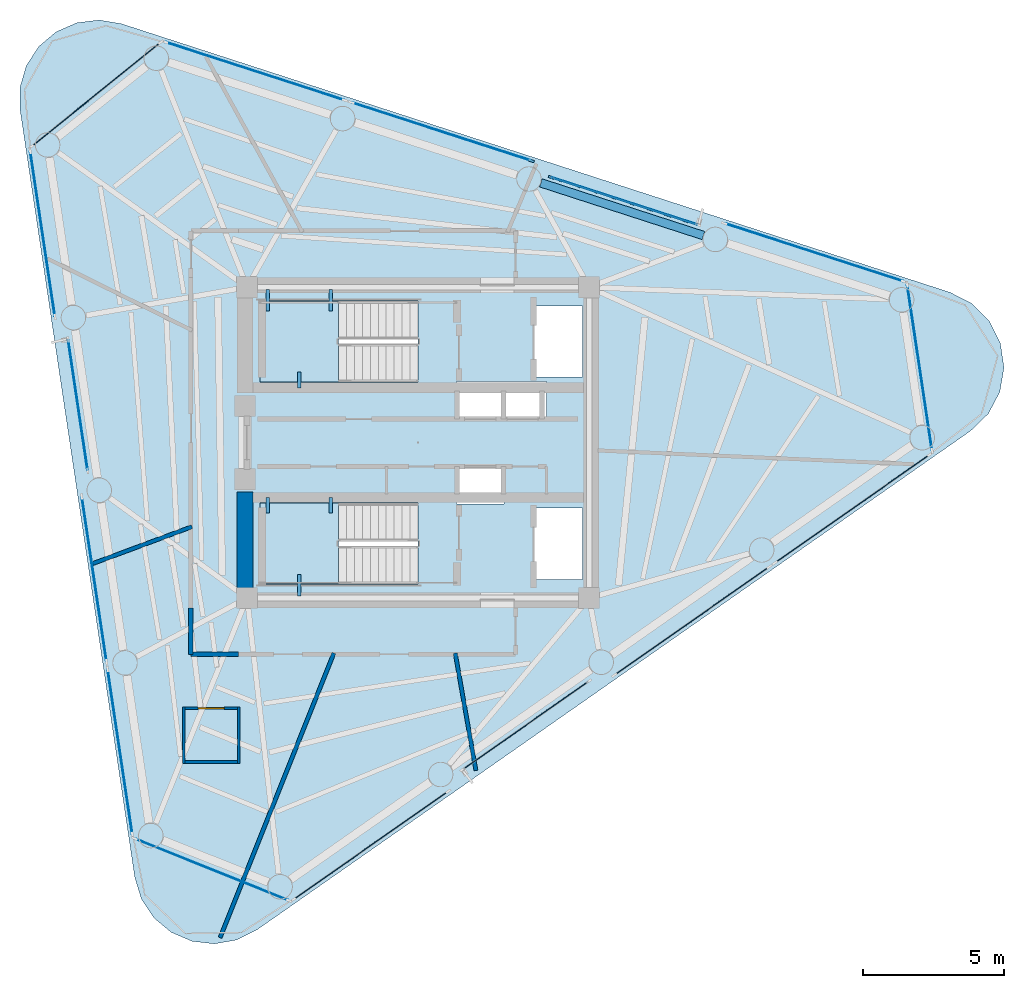
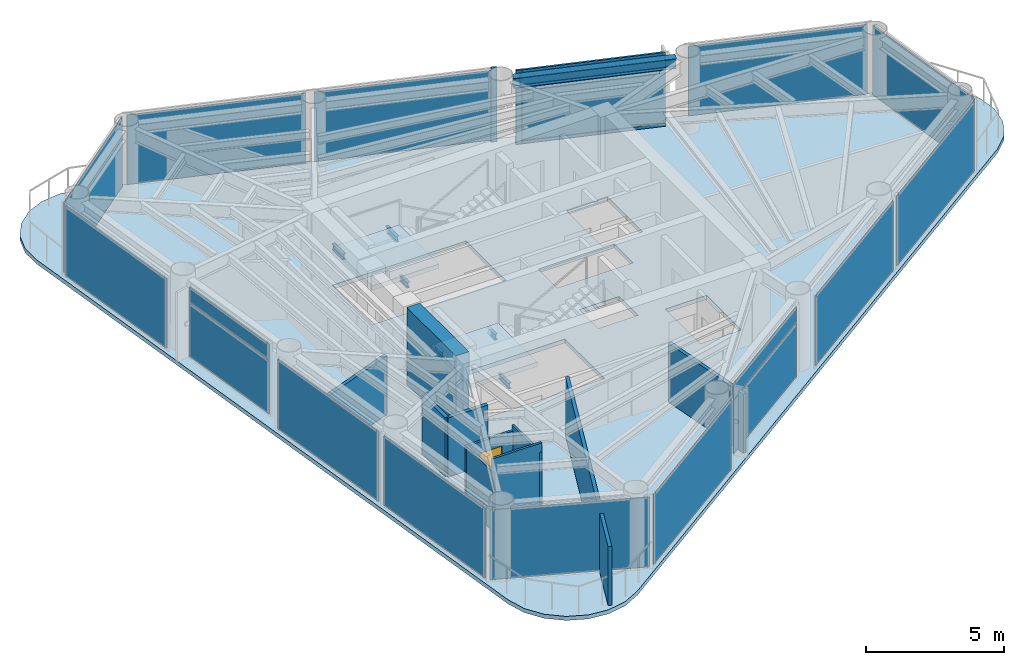
# One storey, part 4 of 9: 18 plates, 10 walls, 7 beams, 5 members, 3 slabs, 1 door, 1 opening, 17 elements without a shape of their own.
"""IFC4 building model written with IfcOpenShell, lengths in metres."""

from ifc_helpers import new_model, si_unit, direction, frame, frame_2d, origin, origin_2d, place, context, subcontext, project, spatial, polyline, rectangle, i_section, outline, extrude, source, transform, mapped, material, layer, layer_set, material_profile, profile_set, type_object, element, fill, aggregate, save


model = new_model("IFC4")

# Units and contexts
model_context = context("Model", 3, precision=1e-05, world=origin(), true_north=direction((0.0, 1.0)))
body_context = subcontext(model_context, "Body", "Model", "MODEL_VIEW")
ifc_project = project(units=[si_unit("LENGTHUNIT", "METRE"), si_unit("AREAUNIT", "SQUARE_METRE"), si_unit("VOLUMEUNIT", "CUBIC_METRE"), si_unit("PLANEANGLEUNIT", "RADIAN"), si_unit("MASSUNIT", "GRAM", prefix="KILO")], contexts=[model_context])

# Site, building, storey
site_placement = place(None, origin())
site = spatial("IfcSite", under=ifc_project, at=site_placement, CompositionType="ELEMENT")
building_placement = place(site_placement, origin())
building = spatial("IfcBuilding", under=site, at=building_placement, Name="Yunling Apex Tower", CompositionType="ELEMENT")
storey_placement = place(building_placement, frame((0.0, 0.0, 274.550048828125)))
storey = spatial("IfcBuildingStorey", under=building, at=storey_placement, Name="L67", CompositionType="ELEMENT", Elevation=274.550048828125)

# Beams
ifc_material_1 = material(Name="Steel Q355B", Category="steel")
ifc_material_profile_1 = material_profile(ifc_material_1, i_section(OverallWidth=0.125, OverallDepth=0.25, WebThickness=0.006103515625, FlangeThickness=0.009033203125, FilletRadius=0.011962890625, at=origin_2d()))
ifc_profile_set_1 = profile_set([ifc_material_profile_1], Name="Steel Q355B")
beam_type_1 = type_object("IfcBeamType", Name="BL-LNT-1", PredefinedType="LINTEL", material=ifc_profile_set_1)
shared_shape_1 = source(origin(), body_context, "Body", "SweptSolid", [
    extrude(i_section(OverallWidth=0.125, OverallDepth=0.25, WebThickness=0.006103515625, FlangeThickness=0.009033203125, FilletRadius=0.011962890625, at=origin_2d()), origin(), (0.0, 0.0, 1.0), 0.760009765625),
])
for number, where, z_axis, x_axis, name in (
    (1, (-5.320068359375, 5.419921875, 1.3798828125), (0.0, -1.0, 0.0), (1.0, 0.0, 0.0), "L67 ST-1 Landing Bearing Corbel 1-1"),
    (2, (-3.090087890625, 5.419921875, 1.3798828125), (0.0, -1.0, 0.0), (1.0, 0.0, 0.0), "L67 ST-1 Landing Bearing Corbel 1-2"),
    (3, (-4.205078125, -5.419921875, 1.3798828125), (0.0, 1.0, 0.0), (-1.0, 0.0, 0.0), "L67 ST-2 Landing Bearing Corbel 1-3"),
):
    element("IfcBeam", number, at=place(storey_placement, frame(where, z_axis=z_axis, x_axis=x_axis)), inside=storey, type_object=beam_type_1, Name=name, PredefinedType="LINTEL", context=body_context, shape_type="MappedRepresentation", body=[
        mapped(shared_shape_1, transform((0.0, 0.0, 0.0), scale=1.0)),
    ])
shared_shape_2 = source(origin(), body_context, "Body", "SweptSolid", [
    extrude(i_section(OverallWidth=0.125, OverallDepth=0.25, WebThickness=0.006103515625, FlangeThickness=0.009033203125, FilletRadius=0.011962890625, at=origin_2d()), origin(), (0.0, 0.0, 1.0), 0.550048828125),
])
for number, where, z_axis, x_axis, name in (
    (4, (-4.205078125, 1.93994140625, 1.3798828125), (0.0, 1.0, 0.0), (-1.0, 0.0, 0.0), "L67 ST-1 Landing Bearing Corbel 1-3"),
    (5, (-5.320068359375, -1.93994140625, 1.3798828125), (0.0, -1.0, 0.0), (1.0, 0.0, 0.0), "L67 ST-2 Landing Bearing Corbel 1-1"),
    (6, (-3.090087890625, -1.93994140625, 1.3798828125), (0.0, -1.0, 0.0), (1.0, 0.0, 0.0), "L67 ST-2 Landing Bearing Corbel 1-2"),
):
    element("IfcBeam", number, at=place(storey_placement, frame(where, z_axis=z_axis, x_axis=x_axis)), inside=storey, type_object=beam_type_1, Name=name, PredefinedType="LINTEL", context=body_context, shape_type="MappedRepresentation", body=[
        mapped(shared_shape_2, transform((0.0, 0.0, 0.0), scale=1.0)),
    ])
ifc_material_profile_2 = material_profile(ifc_material_1, i_section(OverallWidth=0.300048828125, OverallDepth=0.43994140625, WebThickness=0.010986328125, FlangeThickness=0.01806640625, FilletRadius=0.02197265625, at=origin_2d()))
ifc_profile_set_2 = profile_set([ifc_material_profile_2], Name="Steel Q355B")
beam_type_2 = type_object("IfcBeamType", Name="BP-SPN-3", PredefinedType="SPANDREL", material=ifc_profile_set_2)
shared_shape_3 = source(origin(), body_context, "Body", "SweptSolid", [
    extrude(i_section(OverallWidth=0.300048828125, OverallDepth=0.43994140625, WebThickness=0.010986328125, FlangeThickness=0.01806640625, FilletRadius=0.02197265625, at=origin_2d()), origin(), (0.0, 0.0, 1.0), 6.04345703125),
])
beam_placement = place(storey_placement, frame((10.09375, 7.326904296875, 3.0), z_axis=(-0.951272468705, 0.308351569289, 0.0), x_axis=(-0.308351569289, -0.951272468705, 0.0)))
element("IfcBeam", 7, at=beam_placement, inside=storey, type_object=beam_type_2, Name="L67 Perimeter Spandrel Beam 7", PredefinedType="SPANDREL", context=body_context, shape_type="MappedRepresentation", body=[
    mapped(shared_shape_3, transform((0.0, 0.0, 0.0), scale=1.0)),
])

# Curtain wall, member
ifc_material_2 = material(Name="Bronze anodised aluminium", Category="aluminium")
ifc_layer_1 = layer(ifc_material_2, 0.219970703125)
ifc_layer_set_1 = layer_set([ifc_layer_1], Name="Bronze anodised aluminium")
curtain_wall_type = type_object("IfcCurtainWallType", Name="CW-SYS-4", PredefinedType="NOTDEFINED", material=ifc_layer_set_1)
curtain_wall_1_placement = place(storey_placement, origin())
curtain_wall_1 = element("IfcCurtainWall", 8, at=curtain_wall_1_placement, inside=storey, type_object=curtain_wall_type, Name="CW-L67-F2-B2", PredefinedType="NOTDEFINED")
ifc_material_profile_3 = material_profile(ifc_material_2, rectangle(XDim=0.080078125, YDim=0.219970703125, at=origin_2d()))
ifc_profile_set_3 = profile_set([ifc_material_profile_3], Name="Bronze anodised aluminium")
member_type_1 = type_object("IfcMemberType", Name="CW-MUL-4", PredefinedType="MULLION", material=ifc_profile_set_3)
shared_shape_4 = source(origin(), body_context, "Body", "SweptSolid", [
    extrude(rectangle(XDim=0.080078125, YDim=0.219970703125, at=origin_2d()), origin(), (0.0, 0.0, 1.0), 3.320068359375),
])
member_1_placement = place(storey_placement, frame((4.71875, 9.384521484375, -0.050048828125), z_axis=(0.0, 0.0, 1.0), x_axis=(-0.30836941685, -0.951266683297, 0.0)))
member_1 = element("IfcMember", 9, at=member_1_placement, type_object=member_type_1, Name="CW-SYS-4 mullion 2", PredefinedType="MULLION", context=body_context, shape_type="MappedRepresentation", body=[
    mapped(shared_shape_4, transform((0.0, 0.0, 0.0), scale=1.0)),
])

curtain_wall_2_placement = place(storey_placement, origin())
curtain_wall_2 = element("IfcCurtainWall", 10, at=curtain_wall_2_placement, inside=storey, type_object=curtain_wall_type, Name="CW-L67-F2-B3", PredefinedType="NOTDEFINED")
member_2_placement = place(storey_placement, frame((4.00537109375, 9.97314453125, -0.050048828125), z_axis=(0.0, 0.0, 1.0), x_axis=(-0.308371076658, -0.95126614524, 0.0)))
member_2 = element("IfcMember", 11, at=member_2_placement, type_object=member_type_1, Name="CW-SYS-4 mullion 1", PredefinedType="MULLION", context=body_context, shape_type="MappedRepresentation", body=[
    mapped(shared_shape_4, transform((0.0, 0.0, 0.0), scale=1.0)),
])

# Member
ifc_material_profile_4 = material_profile(ifc_material_2, rectangle(XDim=0.080078125, YDim=0.169921875, at=origin_2d()))
ifc_profile_set_4 = profile_set([ifc_material_profile_4], Name="Bronze anodised aluminium")
member_type_2 = type_object("IfcMemberType", Name="CW-TRN-4", PredefinedType="USERDEFINED", material=ifc_profile_set_4)
shared_shape_5 = source(origin(), body_context, "Body", "SweptSolid", [
    extrude(rectangle(XDim=0.080078125, YDim=0.169921875, at=origin_2d()), origin(), (0.0, 0.0, 1.0), 5.3798828125),
])
member_3_placement = place(storey_placement, frame((9.87060546875, 7.71435546875, 0.0400390625), z_axis=(-0.951269238612, 0.308361534032, 0.0), x_axis=(-0.308361534032, -0.951269238612, 0.0)))
member_3 = element("IfcMember", 12, at=member_3_placement, type_object=member_type_2, Name="CW-SYS-4 transom 1.1", ObjectType="TRANSOM", PredefinedType="USERDEFINED", context=body_context, shape_type="MappedRepresentation", body=[
    mapped(shared_shape_5, transform((0.0, 0.0, 0.0), scale=1.0)),
])

member_4_placement = place(storey_placement, frame((9.87060546875, 7.71435546875, 2.447265625), z_axis=(-0.951269238612, 0.308361534032, 0.0), x_axis=(-0.308361534032, -0.951269238612, 0.0)))
member_4 = element("IfcMember", 13, at=member_4_placement, type_object=member_type_2, Name="CW-SYS-4 transom 1.2", ObjectType="TRANSOM", PredefinedType="USERDEFINED", context=body_context, shape_type="MappedRepresentation", body=[
    mapped(shared_shape_5, transform((0.0, 0.0, 0.0), scale=1.0)),
])

member_5_placement = place(storey_placement, frame((9.87060546875, 7.71435546875, 3.179931640625), z_axis=(-0.951269238612, 0.308361534032, 0.0), x_axis=(-0.308361534032, -0.951269238612, 0.0)))
member_5 = element("IfcMember", 14, at=member_5_placement, type_object=member_type_2, Name="CW-SYS-4 transom 1.3", ObjectType="TRANSOM", PredefinedType="USERDEFINED", context=body_context, shape_type="MappedRepresentation", body=[
    mapped(shared_shape_5, transform((0.0, 0.0, 0.0), scale=1.0)),
])

# Slab
ifc_material_3 = material(Name="Concrete C40", Category="concrete")
ifc_layer_2 = layer(ifc_material_3, 0.155029296875)
ifc_layer_set_2 = layer_set([ifc_layer_2], Name="Concrete C40")
slab_type_1 = type_object("IfcSlabType", Name="SL-FLR-3", PredefinedType="FLOOR", material=ifc_layer_set_2)
slab_1_placement = place(storey_placement, frame((0.0, 0.0, -0.179931640625)))
element("IfcSlab", 15, at=slab_1_placement, inside=storey, type_object=slab_type_1, Name="L67 Composite Tower Floor Slab", PredefinedType="FLOOR", context=body_context, shape_type="SweptSolid", body=[
    extrude(outline(polyline([(-10.026123046875, -15.378173828125), (-9.794189453125, -16.145263671875), (-9.352294921875, -16.81396484375), (-8.737548828125, -17.328125), (-8.001220703125, -17.64501953125), (-7.205078125, -17.7373046875), (-6.415771484375, -17.59814453125), (-5.69921875, -17.23876953125), (19.549072265625, 0.414306640625), (20.177490234375, 1.021728515625), (20.585205078125, 1.794921875), (20.731689453125, 2.656494140625), (20.6025390625, 3.52099609375), (20.21044921875, 4.302001953125), (19.594482421875, 4.922119140625), (18.81591796875, 5.3193359375), (-10.490478515625, 14.819091796875), (-11.280517578125, 14.95361328125), (-12.076171875, 14.855712890625), (-12.810302734375, 14.534423828125), (-13.422119140625, 14.016357421875), (-13.859619140625, 13.344970703125), (-14.086669921875, 12.576416015625), (-14.083984375, 11.77490234375), (-10.026123046875, -15.378173828125)]), holes=[polyline([(4.090087890625, 4.840087890625), (5.81005859375, 4.840087890625), (5.81005859375, 2.320068359375), (4.090087890625, 2.320068359375), (4.090087890625, 4.840087890625)]), polyline([(4.090087890625, -4.840087890625), (4.090087890625, -2.320068359375), (5.81005859375, -2.320068359375), (5.81005859375, -4.840087890625), (4.090087890625, -4.840087890625)]), polyline([(4.534912109375, 0.794921875), (1.364990234375, 0.794921875), (1.364990234375, 2.1650390625), (4.534912109375, 2.1650390625), (4.534912109375, 0.794921875)]), polyline([(1.364990234375, -0.794921875), (3.034912109375, -0.794921875), (3.034912109375, -2.1650390625), (1.364990234375, -2.1650390625), (1.364990234375, -0.794921875)]), polyline([(-0.010009765625, -5.010009765625), (-5.60009765625, -5.010009765625), (-5.60009765625, -2.139892578125), (-0.010009765625, -2.139892578125), (-0.010009765625, -5.010009765625)]), polyline([(-0.010009765625, 2.139892578125), (-5.60009765625, 2.139892578125), (-5.60009765625, 5.010009765625), (-0.010009765625, 5.010009765625), (-0.010009765625, 2.139892578125)])]), origin(), (0.0, 0.0, 1.0), 0.179931640625),
])

# Stair, slab
stair_type = type_object("IfcStairType", Name="ST-TWR-3", PredefinedType="HALF_TURN_STAIR", material=ifc_material_3)
stair_1_placement = place(storey_placement, origin())
stair_1 = element("IfcStair", 16, at=stair_1_placement, inside=storey, type_object=stair_type, Name="L67 North Core Smokeproof Exit Stair ST-1", PredefinedType="HALF_TURN_STAIR")
ifc_layer_3 = layer(ifc_material_3, 0.195068359375)
ifc_layer_set_3 = layer_set([ifc_layer_3], Name="Concrete C40")
slab_type_2 = type_object("IfcSlabType", Name="SL-LND-1", PredefinedType="LANDING", material=ifc_layer_set_3)
slab_2_placement = place(storey_placement, frame((0.0, 0.0, 1.5048828125)))
slab_2 = element("IfcSlab", 17, at=slab_2_placement, type_object=slab_type_2, Name="ST-1 landing 1", PredefinedType="LANDING", context=body_context, shape_type="SweptSolid", body=[
    extrude(outline(polyline([(-2.81005859375, 5.010009765625), (-5.60009765625, 5.010009765625), (-5.60009765625, 2.139892578125), (-2.81005859375, 2.139892578125), (-2.81005859375, 5.010009765625)])), origin(), (0.0, 0.0, 1.0), 0.195068359375),
])
aggregate(stair_1, [slab_2])

stair_2_placement = place(storey_placement, origin())
stair_2 = element("IfcStair", 18, at=stair_2_placement, inside=storey, type_object=stair_type, Name="L67 South Core Smokeproof Exit Stair ST-2", PredefinedType="HALF_TURN_STAIR")
slab_3_placement = place(storey_placement, frame((0.0, 0.0, 1.5048828125)))
slab_3 = element("IfcSlab", 19, at=slab_3_placement, type_object=slab_type_2, Name="ST-2 landing 1", PredefinedType="LANDING", context=body_context, shape_type="SweptSolid", body=[
    extrude(outline(polyline([(-2.81005859375, -2.139892578125), (-5.60009765625, -2.139892578125), (-5.60009765625, -5.010009765625), (-2.81005859375, -5.010009765625), (-2.81005859375, -2.139892578125)])), origin(), (0.0, 0.0, 1.0), 0.195068359375),
])
aggregate(stair_2, [slab_3])

# Curtain wall, plate
curtain_wall_3_placement = place(storey_placement, origin())
curtain_wall_3 = element("IfcCurtainWall", 20, at=curtain_wall_3_placement, inside=storey, type_object=curtain_wall_type, Name="CW-L67-F1-B1", PredefinedType="NOTDEFINED")
ifc_material_4 = material(Name="Bronze tinted low-E glass", Category="glass")
ifc_layer_4 = layer(ifc_material_4, 0.030029296875)
ifc_layer_set_4 = layer_set([ifc_layer_4], Name="Bronze tinted low-E glass")
plate_type = type_object("IfcPlateType", Name="CW-PNL-4", PredefinedType="CURTAIN_PANEL", material=ifc_layer_set_4)
shared_shape_6 = source(origin(), body_context, "Body", "SweptSolid", [
    extrude(rectangle(XDim=6.627685546875, YDim=0.030029296875, at=origin_2d()), origin(), (0.0, 0.0, 1.0), 3.075927734375),
])
plate_1_placement = place(storey_placement, frame((-1.6767578125, -14.25537109375, 0.07177734375), z_axis=(0.0, 0.0, 1.0), x_axis=(0.819555084976, 0.573000403744, 0.0)))
plate_1 = element("IfcPlate", 21, at=plate_1_placement, type_object=plate_type, Name="CW-SYS-4 panel 1.1", PredefinedType="CURTAIN_PANEL", context=body_context, shape_type="MappedRepresentation", body=[
    mapped(shared_shape_6, transform((0.0, 0.0, 0.0), scale=1.0)),
])
aggregate(curtain_wall_3, [plate_1])

curtain_wall_4_placement = place(storey_placement, origin())
curtain_wall_4 = element("IfcCurtainWall", 22, at=curtain_wall_4_placement, inside=storey, type_object=curtain_wall_type, Name="CW-L67-F1-B3", PredefinedType="NOTDEFINED")
plate_2_placement = place(storey_placement, frame((9.68505859375, -6.3115234375, 0.07177734375), z_axis=(0.0, 0.0, 1.0), x_axis=(0.81954815017, 0.573010322379, 0.0)))
plate_2 = element("IfcPlate", 23, at=plate_2_placement, type_object=plate_type, Name="CW-SYS-4 panel 1.1", PredefinedType="CURTAIN_PANEL", context=body_context, shape_type="MappedRepresentation", body=[
    mapped(shared_shape_6, transform((0.0, 0.0, 0.0), scale=1.0)),
])
aggregate(curtain_wall_4, [plate_2])

curtain_wall_5_placement = place(storey_placement, origin())
curtain_wall_5 = element("IfcCurtainWall", 24, at=curtain_wall_5_placement, inside=storey, type_object=curtain_wall_type, Name="CW-L67-F1-B4", PredefinedType="NOTDEFINED")
plate_3_placement = place(storey_placement, frame((15.365966796875, -2.339599609375, 0.07177734375), z_axis=(0.0, 0.0, 1.0), x_axis=(0.819555084976, 0.573000403744, 0.0)))
plate_3 = element("IfcPlate", 25, at=plate_3_placement, type_object=plate_type, Name="CW-SYS-4 panel 1.1", PredefinedType="CURTAIN_PANEL", context=body_context, shape_type="MappedRepresentation", body=[
    mapped(shared_shape_6, transform((0.0, 0.0, 0.0), scale=1.0)),
])
aggregate(curtain_wall_5, [plate_3])

curtain_wall_6_placement = place(storey_placement, origin())
curtain_wall_6 = element("IfcCurtainWall", 26, at=curtain_wall_6_placement, inside=storey, type_object=curtain_wall_type, Name="CW-L67-F2-B1", PredefinedType="NOTDEFINED")
plate_4_placement = place(storey_placement, frame((14.010498046875, 6.72998046875, 0.07177734375), z_axis=(0.0, 0.0, 1.0), x_axis=(-0.951271881173, 0.308353381834, 0.0)))
plate_4 = element("IfcPlate", 27, at=plate_4_placement, type_object=plate_type, Name="CW-SYS-4 panel 1.1", PredefinedType="CURTAIN_PANEL", context=body_context, shape_type="MappedRepresentation", body=[
    mapped(shared_shape_6, transform((0.0, 0.0, 0.0), scale=1.0)),
])
aggregate(curtain_wall_6, [plate_4])

# Plate
plate_5_placement = place(storey_placement, frame((0.82275390625, 11.0048828125, 0.07177734375), z_axis=(0.0, 0.0, 1.0), x_axis=(-0.95126614524, 0.308371076658, 0.0)))
plate_5 = element("IfcPlate", 28, at=plate_5_placement, type_object=plate_type, Name="CW-SYS-4 panel 1.1", PredefinedType="CURTAIN_PANEL", context=body_context, shape_type="MappedRepresentation", body=[
    mapped(shared_shape_6, transform((0.0, 0.0, 0.0), scale=1.0)),
])

aggregate(curtain_wall_2, [member_2, plate_5])

# Curtain wall, plate
curtain_wall_7_placement = place(storey_placement, origin())
curtain_wall_7 = element("IfcCurtainWall", 29, at=curtain_wall_7_placement, inside=storey, type_object=curtain_wall_type, Name="CW-L67-F2-B4", PredefinedType="NOTDEFINED")
plate_6_placement = place(storey_placement, frame((-5.771240234375, 13.142333984375, 0.07177734375), z_axis=(0.0, 0.0, 1.0), x_axis=(-0.951271881173, 0.308353381834, 0.0)))
plate_6 = element("IfcPlate", 30, at=plate_6_placement, type_object=plate_type, Name="CW-SYS-4 panel 1.1", PredefinedType="CURTAIN_PANEL", context=body_context, shape_type="MappedRepresentation", body=[
    mapped(shared_shape_6, transform((0.0, 0.0, 0.0), scale=1.0)),
])
aggregate(curtain_wall_7, [plate_6])

curtain_wall_8_placement = place(storey_placement, origin())
curtain_wall_8 = element("IfcCurtainWall", 31, at=curtain_wall_8_placement, inside=storey, type_object=curtain_wall_type, Name="CW-L67-F1-B2", PredefinedType="NOTDEFINED")
shared_shape_7 = source(origin(), body_context, "Body", "SweptSolid", [
    extrude(rectangle(XDim=5.3876953125, YDim=0.030029296875, at=origin_2d()), origin(), (0.0, 0.0, 1.0), 2.34326171875),
])
plate_7_placement = place(storey_placement, frame((3.809326171875, -10.0048828125, 0.072021484375), z_axis=(0.0, 0.0, 1.0), x_axis=(0.819556211708, 0.57299879219, 0.0)))
plate_7 = element("IfcPlate", 32, at=plate_7_placement, type_object=plate_type, Name="CW-SYS-4 panel 1.1", PredefinedType="CURTAIN_PANEL", context=body_context, shape_type="MappedRepresentation", body=[
    mapped(shared_shape_7, transform((0.0, 0.0, 0.0), scale=1.0)),
])

# Plate
plate_8_placement = place(storey_placement, frame((7.311767578125, 8.5439453125, 0.072021484375), z_axis=(0.0, 0.0, 1.0), x_axis=(-0.951266683297, 0.30836941685, 0.0)))
plate_8 = element("IfcPlate", 33, at=plate_8_placement, type_object=plate_type, Name="CW-SYS-4 panel 1.1", PredefinedType="CURTAIN_PANEL", context=body_context, shape_type="MappedRepresentation", body=[
    mapped(shared_shape_7, transform((0.0, 0.0, 0.0), scale=1.0)),
])

shared_shape_8 = source(origin(), body_context, "Body", "SweptSolid", [
    extrude(rectangle(XDim=5.3876953125, YDim=0.030029296875, at=origin_2d()), origin(), (0.0, 0.0, 1.0), 0.668701171875),
])
plate_9_placement = place(storey_placement, frame((3.809326171875, -10.0048828125, 2.47900390625), z_axis=(0.0, 0.0, 1.0), x_axis=(0.819556211708, 0.57299879219, 0.0)))
plate_9 = element("IfcPlate", 34, at=plate_9_placement, type_object=plate_type, Name="CW-SYS-4 panel 1.2", PredefinedType="CURTAIN_PANEL", context=body_context, shape_type="MappedRepresentation", body=[
    mapped(shared_shape_8, transform((0.0, 0.0, 0.0), scale=1.0)),
])

aggregate(curtain_wall_8, [plate_7, plate_9])

plate_10_placement = place(storey_placement, frame((7.311767578125, 8.5439453125, 2.47900390625), z_axis=(0.0, 0.0, 1.0), x_axis=(-0.951266683297, 0.30836941685, 0.0)))
plate_10 = element("IfcPlate", 35, at=plate_10_placement, type_object=plate_type, Name="CW-SYS-4 panel 1.2", PredefinedType="CURTAIN_PANEL", context=body_context, shape_type="MappedRepresentation", body=[
    mapped(shared_shape_8, transform((0.0, 0.0, 0.0), scale=1.0)),
])

aggregate(curtain_wall_1, [member_1, member_3, member_4, member_5, plate_8, plate_10])

# Curtain wall, plate
curtain_wall_9_placement = place(storey_placement, origin())
curtain_wall_9 = element("IfcCurtainWall", 36, at=curtain_wall_9_placement, inside=storey, type_object=curtain_wall_type, Name="CW-L67-CRN1", PredefinedType="NOTDEFINED")
shared_shape_9 = source(origin(), body_context, "Body", "SweptSolid", [
    extrude(rectangle(XDim=5.90185546875, YDim=0.030029296875, at=origin_2d()), origin(), (0.0, 0.0, 1.0), 3.075927734375),
])
plate_11_placement = place(storey_placement, frame((17.748291015625, 2.65234375, 0.07177734375), z_axis=(0.0, 0.0, 1.0), x_axis=(-0.147802573571, 0.989016885218, 0.0)))
plate_11 = element("IfcPlate", 37, at=plate_11_placement, type_object=plate_type, Name="CW-SYS-4 panel 1.1", PredefinedType="CURTAIN_PANEL", context=body_context, shape_type="MappedRepresentation", body=[
    mapped(shared_shape_9, transform((0.0, 0.0, 0.0), scale=1.0)),
])
aggregate(curtain_wall_9, [plate_11])

curtain_wall_10_placement = place(storey_placement, origin())
curtain_wall_10 = element("IfcCurtainWall", 38, at=curtain_wall_10_placement, inside=storey, type_object=curtain_wall_type, Name="CW-L67-CRN2", PredefinedType="NOTDEFINED")
shared_shape_10 = source(origin(), body_context, "Body", "SweptSolid", [
    extrude(rectangle(XDim=5.829345703125, YDim=0.030029296875, at=origin_2d()), origin(), (0.0, 0.0, 1.0), 3.075927734375),
])
plate_12_placement = place(storey_placement, frame((-11.398681640625, 12.31640625, 0.07177734375), z_axis=(0.0, 0.0, 1.0), x_axis=(-0.778222477019, -0.627988675266, 0.0)))
plate_12 = element("IfcPlate", 39, at=plate_12_placement, type_object=plate_type, Name="CW-SYS-4 panel 1.1", PredefinedType="CURTAIN_PANEL", context=body_context, shape_type="MappedRepresentation", body=[
    mapped(shared_shape_10, transform((0.0, 0.0, 0.0), scale=1.0)),
])
aggregate(curtain_wall_10, [plate_12])

curtain_wall_11_placement = place(storey_placement, origin())
curtain_wall_11 = element("IfcCurtainWall", 40, at=curtain_wall_11_placement, inside=storey, type_object=curtain_wall_type, Name="CW-L67-CRN3", PredefinedType="NOTDEFINED")
plate_13_placement = place(storey_placement, frame((-7.2998046875, -15.11083984375, 0.07177734375), z_axis=(0.0, 0.0, 1.0), x_axis=(0.927827569859, -0.373009384078, 0.0)))
plate_13 = element("IfcPlate", 41, at=plate_13_placement, type_object=plate_type, Name="CW-SYS-4 panel 1.1", PredefinedType="CURTAIN_PANEL", context=body_context, shape_type="MappedRepresentation", body=[
    mapped(shared_shape_10, transform((0.0, 0.0, 0.0), scale=1.0)),
])
aggregate(curtain_wall_11, [plate_13])

curtain_wall_12_placement = place(storey_placement, origin())
curtain_wall_12 = element("IfcCurtainWall", 42, at=curtain_wall_12_placement, inside=storey, type_object=curtain_wall_type, Name="CW-L67-F3-B1", PredefinedType="NOTDEFINED")
shared_shape_11 = source(origin(), body_context, "Body", "SweptSolid", [
    extrude(rectangle(XDim=5.873291015625, YDim=0.030029296875, at=origin_2d()), origin(), (0.0, 0.0, 1.0), 3.075927734375),
])
plate_14_placement = place(storey_placement, frame((-13.2861328125, 7.38330078125, 0.07177734375), z_axis=(0.0, 0.0, 1.0), x_axis=(0.147807330522, -0.989016174309, 0.0)))
plate_14 = element("IfcPlate", 43, at=plate_14_placement, type_object=plate_type, Name="CW-SYS-4 panel 1.1", PredefinedType="CURTAIN_PANEL", context=body_context, shape_type="MappedRepresentation", body=[
    mapped(shared_shape_11, transform((0.0, 0.0, 0.0), scale=1.0)),
])
aggregate(curtain_wall_12, [plate_14])

curtain_wall_13_placement = place(storey_placement, origin())
curtain_wall_13 = element("IfcCurtainWall", 44, at=curtain_wall_13_placement, inside=storey, type_object=curtain_wall_type, Name="CW-L67-F3-B3", PredefinedType="NOTDEFINED")
plate_15_placement = place(storey_placement, frame((-11.460205078125, -4.835693359375, 0.07177734375), z_axis=(0.0, 0.0, 1.0), x_axis=(0.147807330522, -0.989016174309, 0.0)))
plate_15 = element("IfcPlate", 45, at=plate_15_placement, type_object=plate_type, Name="CW-SYS-4 panel 1.1", PredefinedType="CURTAIN_PANEL", context=body_context, shape_type="MappedRepresentation", body=[
    mapped(shared_shape_11, transform((0.0, 0.0, 0.0), scale=1.0)),
])
aggregate(curtain_wall_13, [plate_15])

curtain_wall_14_placement = place(storey_placement, origin())
curtain_wall_14 = element("IfcCurtainWall", 46, at=curtain_wall_14_placement, inside=storey, type_object=curtain_wall_type, Name="CW-L67-F3-B4", PredefinedType="NOTDEFINED")
plate_16_placement = place(storey_placement, frame((-10.547119140625, -10.945068359375, 0.07177734375), z_axis=(0.0, 0.0, 1.0), x_axis=(0.147791074763, -0.989018603576, 0.0)))
plate_16 = element("IfcPlate", 47, at=plate_16_placement, type_object=plate_type, Name="CW-SYS-4 panel 1.1", PredefinedType="CURTAIN_PANEL", context=body_context, shape_type="MappedRepresentation", body=[
    mapped(shared_shape_11, transform((0.0, 0.0, 0.0), scale=1.0)),
])
aggregate(curtain_wall_14, [plate_16])

# Curtain wall, plates
curtain_wall_15_placement = place(storey_placement, origin())
curtain_wall_15 = element("IfcCurtainWall", 48, at=curtain_wall_15_placement, inside=storey, type_object=curtain_wall_type, Name="CW-L67-F3-B2", PredefinedType="NOTDEFINED")
shared_shape_12 = source(origin(), body_context, "Body", "SweptSolid", [
    extrude(rectangle(XDim=4.63330078125, YDim=0.030029296875, at=origin_2d()), origin(), (0.0, 0.0, 1.0), 2.34326171875),
])
plate_17_placement = place(storey_placement, frame((-12.036865234375, 1.323974609375, 0.072021484375), z_axis=(0.0, 0.0, 1.0), x_axis=(0.147804068926, -0.989016661745, 0.0)))
plate_17 = element("IfcPlate", 49, at=plate_17_placement, type_object=plate_type, Name="CW-SYS-4 panel 1.1", PredefinedType="CURTAIN_PANEL", context=body_context, shape_type="MappedRepresentation", body=[
    mapped(shared_shape_12, transform((0.0, 0.0, 0.0), scale=1.0)),
])
shared_shape_13 = source(origin(), body_context, "Body", "SweptSolid", [
    extrude(rectangle(XDim=4.63330078125, YDim=0.030029296875, at=origin_2d()), origin(), (0.0, 0.0, 1.0), 0.668701171875),
])
plate_18_placement = place(storey_placement, frame((-12.036865234375, 1.323974609375, 2.47900390625), z_axis=(0.0, 0.0, 1.0), x_axis=(0.147804068926, -0.989016661745, 0.0)))
plate_18 = element("IfcPlate", 50, at=plate_18_placement, type_object=plate_type, Name="CW-SYS-4 panel 1.2", PredefinedType="CURTAIN_PANEL", context=body_context, shape_type="MappedRepresentation", body=[
    mapped(shared_shape_13, transform((0.0, 0.0, 0.0), scale=1.0)),
])
aggregate(curtain_wall_15, [plate_17, plate_18])

# Walls
ifc_layer_5 = layer(ifc_material_3, 0.550048828125)
ifc_layer_set_5 = layer_set([ifc_layer_5], Name="Concrete C40")
wall_type_1 = type_object("IfcWallType", Name="WL-COR-3", PredefinedType="SHEAR", material=ifc_layer_set_5)
wall_1_placement = place(storey_placement, frame((-6.125, -5.300048828125, 0.0), z_axis=(0.0, 0.0, 1.0), x_axis=(0.0, 1.0, 0.0)))
element("IfcWall", 51, at=wall_1_placement, inside=storey, type_object=wall_type_1, Name="L67 West-South Core Shear Wall", PredefinedType="SHEAR", context=body_context, shape_type="SweptSolid", body=[
    extrude(rectangle(XDim=3.550048828125, YDim=0.550048828125, at=frame_2d((1.77490234375, 0.0))), origin(), (0.0, 0.0, 1.0), 3.39990234375),
])
ifc_material_5 = material(Name="Gypsum board acoustic partition")
ifc_layer_6 = layer(ifc_material_5, 0.159912109375)
ifc_layer_set_6 = layer_set([ifc_layer_6], Name="Gypsum board acoustic partition")
wall_type_2 = type_object("IfcWallType", Name="WL-PRT-1", PredefinedType="PARTITIONING", material=ifc_layer_set_6)
wall_2_placement = place(storey_placement, frame((-6.360107421875, -7.489990234375, 0.0), z_axis=(0.0, 0.0, 1.0), x_axis=(-1.0, 0.0, 0.0)))
element("IfcWall", 52, at=wall_2_placement, inside=storey, type_object=wall_type_2, Name="WL-CORR-L67-07", PredefinedType="PARTITIONING", context=body_context, shape_type="SweptSolid", body=[
    extrude(rectangle(XDim=1.679931640625, YDim=0.159912109375, at=frame_2d((0.83984375, 0.0))), origin(), (0.0, 0.0, 1.0), 2.60498046875),
])
wall_3_placement = place(storey_placement, frame((-8.0400390625, -7.489990234375, 0.0), z_axis=(0.0, 0.0, 1.0), x_axis=(0.0, 1.0, 0.0)))
element("IfcWall", 53, at=wall_3_placement, inside=storey, type_object=wall_type_2, Name="WL-CORR-L67-08", PredefinedType="PARTITIONING", context=body_context, shape_type="SweptSolid", body=[
    extrude(rectangle(XDim=1.639892578125, YDim=0.159912109375, at=frame_2d((0.81982421875, 0.0))), origin(), (0.0, 0.0, 1.0), 2.60498046875),
])
ifc_layer_7 = layer(ifc_material_5, 0.139892578125)
ifc_layer_set_7 = layer_set([ifc_layer_7], Name="Gypsum board acoustic partition")
wall_type_3 = type_object("IfcWallType", Name="WL-PRT-2", PredefinedType="PARTITIONING", material=ifc_layer_set_7)
wall_4_placement = place(storey_placement, frame((-8.0, -2.97509765625, 0.0), z_axis=(0.0, 0.0, 1.0), x_axis=(-0.937281421119, -0.348573575627, 0.0)))
element("IfcWall", 54, at=wall_4_placement, inside=storey, type_object=wall_type_3, Name="WL-RAD-L67-05", PredefinedType="PARTITIONING", context=body_context, shape_type="SweptSolid", body=[
    extrude(rectangle(XDim=3.7373046875, YDim=0.139892578125, at=frame_2d((1.86865234375, 0.0))), origin(), (0.0, 0.0, 1.0), 2.60498046875),
])
wall_5_placement = place(storey_placement, frame((-2.979736328125, -7.449951171875, 0.0), z_axis=(0.0, 0.0, 1.0), x_axis=(-0.37136350778, -0.928487557854, 0.0)))
element("IfcWall", 55, at=wall_5_placement, inside=storey, type_object=wall_type_3, Name="WL-RAD-L67-06", PredefinedType="PARTITIONING", context=body_context, shape_type="SweptSolid", body=[
    extrude(rectangle(XDim=10.845458984375, YDim=0.139892578125, at=frame_2d((5.4228515625, 0.0))), origin(), (0.0, 0.0, 1.0), 2.60498046875),
])
wall_6_placement = place(storey_placement, frame((1.313720703125, -7.449951171875, 0.0), z_axis=(0.0, 0.0, 1.0), x_axis=(0.17364664795, -0.984808022741, 0.0)))
element("IfcWall", 56, at=wall_6_placement, inside=storey, type_object=wall_type_3, Name="WL-RAD-L67-07", PredefinedType="PARTITIONING", context=body_context, shape_type="SweptSolid", body=[
    extrude(rectangle(XDim=4.2177734375, YDim=0.139892578125, at=frame_2d((2.10888671875, 0.0))), origin(), (0.0, 0.0, 1.0), 2.60498046875),
])

# Wall, opening, door
ifc_layer_8 = layer(ifc_material_5, 0.10009765625)
ifc_layer_set_8 = layer_set([ifc_layer_8], Name="Gypsum board acoustic partition")
wall_type_4 = type_object("IfcWallType", Name="WL-PRT-4", PredefinedType="PARTITIONING", material=ifc_layer_set_8)
wall_7_placement = place(storey_placement, frame((-8.344970703125, -9.40087890625, 0.0), z_axis=(0.0, 0.0, 1.0), x_axis=(1.0, 0.0, 0.0)))
wall_7 = element("IfcWall", 57, at=wall_7_placement, inside=storey, type_object=wall_type_4, Name="WL-L67-RWC1N", PredefinedType="PARTITIONING", context=body_context, shape_type="SweptSolid", body=[
    extrude(rectangle(XDim=2.050048828125, YDim=0.10009765625, at=frame_2d((1.02490234375, 0.0))), origin(), (0.0, 0.0, 1.0), 2.60498046875),
])
opening_placement = place(wall_7_placement, frame((0.56494140625, 0.0, 0.0)))
opening = element("IfcOpeningElement", 58, at=opening_placement, cuts=wall_7, Name="Opening DR-WC-1", PredefinedType="OPENING", context=body_context, shape_type="SweptSolid", body=[
    extrude(rectangle(XDim=0.919921875, YDim=2.10009765625, at=frame_2d((0.4599609375, 1.050048828125))), frame((0.0, 0.06005859375, 0.0), z_axis=(0.0, -1.0, 0.0), x_axis=(1.0, 0.0, 0.0)), (0.0, 0.0, 1.0), 0.1201171875),
])
ifc_material_6 = material(Name="Timber moisture-resistant leaf", Category="wood")
door_type = type_object("IfcDoorType", Name="DR-WC-1", OperationType="NOTDEFINED", PredefinedType="DOOR", material=ifc_material_6)
door_placement = place(opening_placement, origin())
door = element("IfcDoor", 59, at=door_placement, inside=storey, type_object=door_type, Name="L67 Accessible WC Door", OperationType="SINGLE_SWING_LEFT", OverallHeight=2.10009765625, OverallWidth=0.919921875, PredefinedType="DOOR", context=body_context, shape_type="SweptSolid", body=[
    extrude(rectangle(XDim=0.919921875, YDim=2.10009765625, at=frame_2d((0.4599609375, 1.050048828125))), frame((0.0, 0.02490234375, 0.0), z_axis=(0.0, -1.0, 0.0), x_axis=(1.0, 0.0, 0.0)), (0.0, 0.0, 1.0), 0.050048828125),
])
fill(opening, door)

# Walls
wall_8_placement = place(storey_placement, frame((-6.294921875, -11.301025390625, 0.0), z_axis=(0.0, 0.0, 1.0), x_axis=(-1.0, 0.0, 0.0)))
element("IfcWall", 60, at=wall_8_placement, inside=storey, type_object=wall_type_4, Name="WL-L67-RWC1S", PredefinedType="PARTITIONING", context=body_context, shape_type="SweptSolid", body=[
    extrude(rectangle(XDim=2.050048828125, YDim=0.10009765625, at=frame_2d((1.02490234375, 0.0))), origin(), (0.0, 0.0, 1.0), 3.199951171875),
])
wall_9_placement = place(storey_placement, frame((-6.344970703125, -9.35107421875, 0.0), z_axis=(0.0, 0.0, 1.0), x_axis=(0.0, -1.0, 0.0)))
element("IfcWall", 61, at=wall_9_placement, inside=storey, type_object=wall_type_4, Name="WL-L67-RWC1E", PredefinedType="PARTITIONING", context=body_context, shape_type="SweptSolid", body=[
    extrude(rectangle(XDim=2.0, YDim=0.10009765625, at=frame_2d((1.0, 0.0))), origin(), (0.0, 0.0, 1.0), 2.804931640625),
])
wall_10_placement = place(storey_placement, frame((-8.294921875, -11.35107421875, 0.0), z_axis=(0.0, 0.0, 1.0), x_axis=(0.0, 1.0, 0.0)))
element("IfcWall", 62, at=wall_10_placement, inside=storey, type_object=wall_type_4, Name="WL-L67-RWC1W", PredefinedType="PARTITIONING", context=body_context, shape_type="SweptSolid", body=[
    extrude(rectangle(XDim=2.0, YDim=0.10009765625, at=frame_2d((1.0, 0.0))), origin(), (0.0, 0.0, 1.0), 2.60498046875),
])

save(model, "model.ifc")
